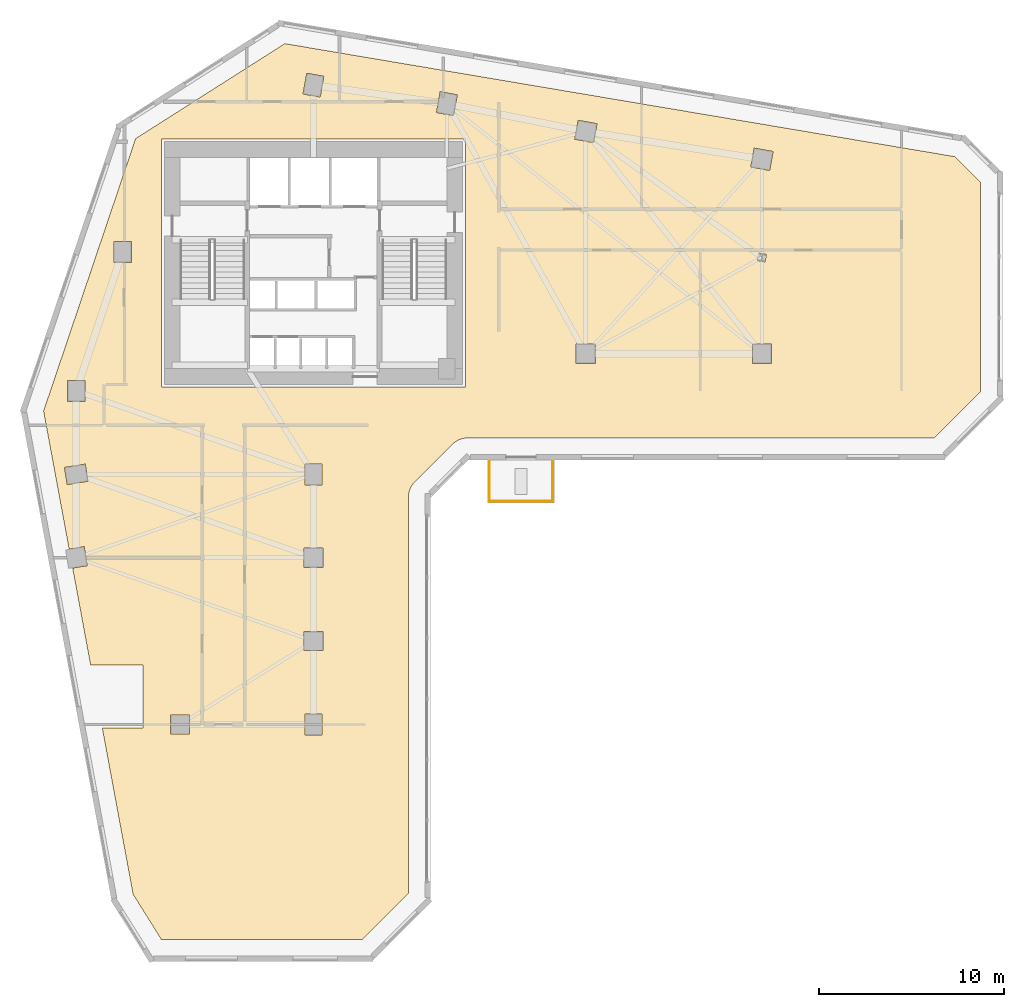
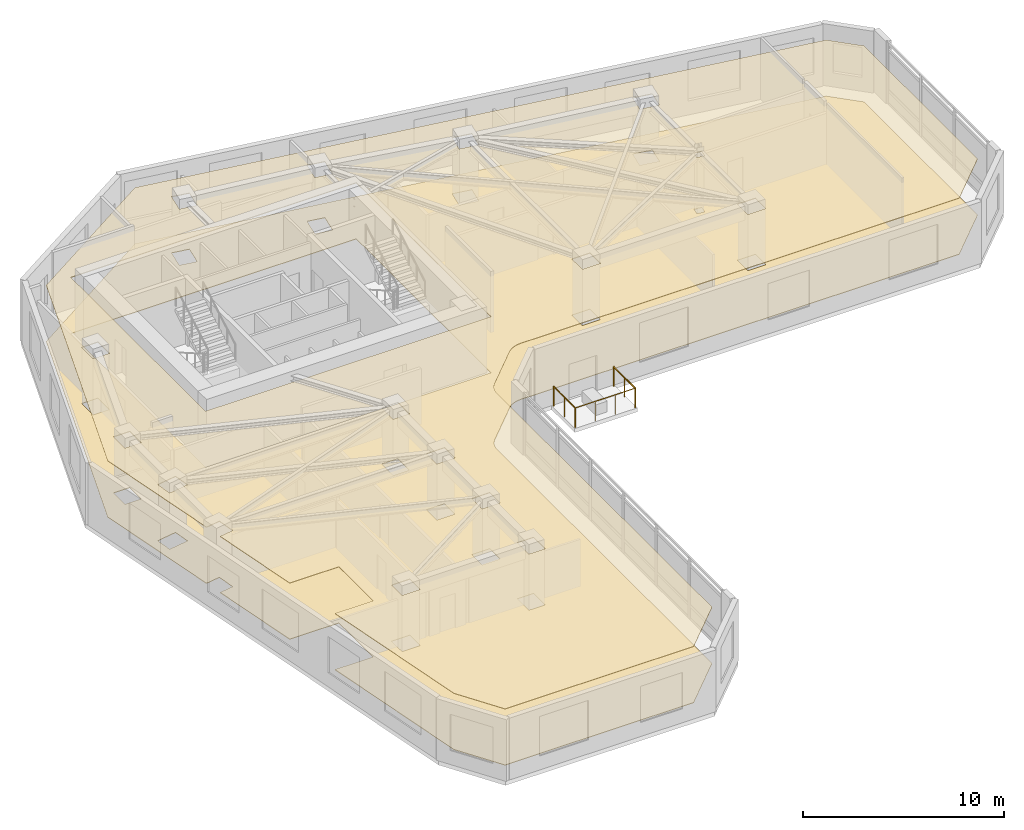
# One storey, part 10 of 11: 3 railings, 2 coverings.
"""IFC4 building model written with IfcOpenShell, lengths in metres."""

import ifcopenshell
import ifcopenshell.guid

model = None  # the IFC model being written
_history = None  # IfcOwnerHistory: only IFC2X3 demands one
_inside = {}  # id of a spatial element -> (the spatial element, [elements in it])
_under = {}  # id of a project, library or spatial element -> (it, [spatial elements below it])
_declared = {}  # id of a project -> (the project, [libraries it declares])
_typed = {}  # id of a type object -> (the type object, [elements of that type])
_made_of = {}  # id of a material, layer set ... -> (it, [elements and type objects made of it])


def new_model(schema):
    """Start an empty IFC model of exactly this schema.

    Asked for "IFC4X3", IfcOpenShell would pick the latest addendum, in which some entities
    have other attributes; the version numbers below select the first issue.
    IFC2X3 requires an IfcOwnerHistory on every rooted entity: one is made here for all.
    """
    global model, _history
    if schema == "IFC4X3":
        model = ifcopenshell.file(schema_version=(4, 3, 0, 0))
    else:
        model = ifcopenshell.file(schema=schema)
    _inside.clear()
    _under.clear()
    _declared.clear()
    _typed.clear()
    _made_of.clear()
    _history = None
    if model.schema == "IFC2X3":
        org = make("IfcOrganization", Name="unknown")
        user = make(
            "IfcPersonAndOrganization",
            ThePerson=make("IfcPerson", FamilyName="unknown"),
            TheOrganization=org,
        )
        app = make(
            "IfcApplication",
            ApplicationDeveloper=org,
            Version="unknown",
            ApplicationFullName="unknown",
            ApplicationIdentifier="unknown",
        )
        _history = make(
            "IfcOwnerHistory",
            OwningUser=user,
            OwningApplication=app,
            ChangeAction="ADDED",
            CreationDate=0,
        )
    return model


def make(cls, **values):
    """One entity of the class cls with the attributes given. An attribute that is None is left unset."""
    return model.create_entity(
        cls, **{name: value for name, value in values.items() if value is not None}
    )


def rooted(cls, **values):
    """An entity with a GlobalId (a new one), such as an element, a storey or a relation."""
    return make(cls, GlobalId=ifcopenshell.guid.new(), OwnerHistory=_history, **values)


def si_unit(unit_type, name, prefix=None):
    """IfcSIUnit, for example si_unit("LENGTHUNIT", "METRE", prefix="MILLI")."""
    return make("IfcSIUnit", UnitType=unit_type, Prefix=prefix, Name=name)


def assignment(units):
    """IfcUnitAssignment: the units of a project."""
    return None if units is None else make("IfcUnitAssignment", Units=units)


def point(xyz):
    """IfcCartesianPoint."""
    return None if xyz is None else make("IfcCartesianPoint", Coordinates=xyz)


def direction(xyz):
    """IfcDirection."""
    return None if xyz is None else make("IfcDirection", DirectionRatios=xyz)


def frame(location, z_axis=None, x_axis=None):
    """IfcAxis2Placement3D, a coordinate frame: its origin and axes. An axis left out is left unset."""
    return make(
        "IfcAxis2Placement3D",
        Location=point(location),
        Axis=direction(z_axis),
        RefDirection=direction(x_axis),
    )


def frame_2d(location, x_axis=None):
    """IfcAxis2Placement2D, a coordinate frame in the plane: its origin and x axis."""
    return make(
        "IfcAxis2Placement2D", Location=point(location), RefDirection=direction(x_axis)
    )


def origin():
    """The frame at (0, 0, 0) with its axes left unset."""
    return frame((0.0, 0.0, 0.0))


def origin_2d():
    """The frame at (0, 0) in the plane with its x axis left unset."""
    return frame_2d((0.0, 0.0))


def place(relative_to, where):
    """IfcLocalPlacement: puts the frame where relative to a parent placement (None: the world)."""
    return make(
        "IfcLocalPlacement", PlacementRelTo=relative_to, RelativePlacement=where
    )


def context(
    kind, dimensions, precision=None, world=None, true_north=None, identifier=None
):
    """IfcGeometricRepresentationContext, for example the 3D "Model" context."""
    return make(
        "IfcGeometricRepresentationContext",
        ContextIdentifier=identifier,
        ContextType=kind,
        CoordinateSpaceDimension=dimensions,
        Precision=precision,
        WorldCoordinateSystem=world,
        TrueNorth=true_north,
    )


def subcontext(parent, identifier, kind, view, scale=None):
    """IfcGeometricRepresentationSubContext, for example "Body" below "Model"."""
    return make(
        "IfcGeometricRepresentationSubContext",
        ContextIdentifier=identifier,
        ContextType=kind,
        ParentContext=parent,
        TargetScale=scale,
        TargetView=view,
    )


def project(units=None, contexts=None):
    """IfcProject with its units and contexts."""
    return rooted(
        "IfcProject",
        Name="project",
        RepresentationContexts=contexts,
        UnitsInContext=assignment(units),
    )


def spatial(cls, under=None, at=None, **own):
    """A site, building, storey or space (cls), placed at a placement, below another one or the project."""
    s = rooted(cls, ObjectPlacement=at, **own)
    if under is not None:
        _under.setdefault(under.id(), (under, []))[1].append(s)
    return s


def polyline(points):
    """IfcPolyline through the points."""
    return make("IfcPolyline", Points=[point(p) for p in points])


def profile(cls, at=None, kind="AREA", **sizes):
    """A parametric profile (cls). Its sizes go by their IFC names, for example OverallWidth=200.0."""
    return make(cls, ProfileType=kind, Position=at, **sizes)


def circle(**sizes):
    """IfcCircleProfileDef."""
    return profile("IfcCircleProfileDef", **sizes)


def outline(outer, holes=None, kind="AREA"):
    """IfcArbitraryClosedProfileDef: a profile drawn as a closed curve; with holes, ...WithVoids."""
    if holes is None:
        return make("IfcArbitraryClosedProfileDef", ProfileType=kind, OuterCurve=outer)
    return make(
        "IfcArbitraryProfileDefWithVoids",
        ProfileType=kind,
        OuterCurve=outer,
        InnerCurves=holes,
    )


def extrude(swept, where, along, depth):
    """IfcExtrudedAreaSolid: the profile swept, set in the frame where, extruded along a direction by depth."""
    return make(
        "IfcExtrudedAreaSolid",
        SweptArea=swept,
        Position=where,
        ExtrudedDirection=direction(along),
        Depth=depth,
    )


def shape(context_of_items, identifier, shape_type, items):
    """IfcShapeRepresentation: the items that make up one representation, for example the "Body"."""
    return make(
        "IfcShapeRepresentation",
        ContextOfItems=context_of_items,
        RepresentationIdentifier=identifier,
        RepresentationType=shape_type,
        Items=items,
    )


def material(Name=None, Category=None):
    """IfcMaterial."""
    return make("IfcMaterial", Name=Name, Category=Category)


def layer(
    of_material, thickness, ventilated=None, Name=None, Category=None, Priority=None
):
    """IfcMaterialLayer: one layer of a wall or slab, of a material (None: an air gap)."""
    return make(
        "IfcMaterialLayer",
        Material=of_material,
        LayerThickness=thickness,
        IsVentilated=ventilated,
        Name=Name,
        Category=Category,
        Priority=Priority,
    )


def layer_set(layers, Name=None):
    """IfcMaterialLayerSet."""
    return make("IfcMaterialLayerSet", MaterialLayers=layers, LayerSetName=Name)


def made_of(thing, what):
    """Note that an element or type object is made of a material, layer set ...; save() writes the relation."""
    if what is not None:
        _made_of.setdefault(what.id(), (what, []))[1].append(thing)
    return thing


def type_object(cls, material=None, **own):
    """A type object (cls), such as IfcWallType, which elements share."""
    return made_of(rooted(cls, **own), material)


def element(
    cls,
    number,
    at=None,
    inside=None,
    cuts=None,
    type_object=None,
    material=None,
    context=None,
    identifier="Body",
    shape_type=None,
    held_by="IfcProductDefinitionShape",
    body=None,
    shapes=None,
    **own,
):
    """One element of the class cls, such as IfcWall. Its Tag is "e" and its number.

    at: its placement. inside: the storey or other place that contains it. cuts: it is an
    opening in that element (IfcRelVoidsElement). A single representation is given by context,
    identifier, shape_type and body (its items); several are given by shapes. held_by: the class
    of the entity that holds the representations. save() writes the other relations.
    """
    e = rooted(cls, Tag="e%d" % number, ObjectPlacement=at, **own)
    if body is not None:
        shapes = [shape(context, identifier, shape_type, body)]
    if shapes is not None:
        e.Representation = make(held_by, Representations=shapes)
    if inside is not None:
        _inside.setdefault(inside.id(), (inside, []))[1].append(e)
    if cuts is not None:
        rooted(
            "IfcRelVoidsElement", RelatingBuildingElement=cuts, RelatedOpeningElement=e
        )
    if type_object is not None:
        _typed.setdefault(type_object.id(), (type_object, []))[1].append(e)
    return made_of(e, material)


def aggregate(whole, parts):
    """IfcRelAggregates: a whole, such as a stair, and the parts it consists of."""
    return rooted("IfcRelAggregates", RelatingObject=whole, RelatedObjects=parts)


def save(model, path):
    """Write the relations noted so far, then the file.

    IfcRelAggregates (storeys below a building ...), IfcRelContainedInSpatialStructure (elements
    in a storey), IfcRelDefinesByType, IfcRelAssociatesMaterial and IfcRelDeclares: one each for
    every whole, place, type object, material and project.
    """
    for whole, parts in _under.values():
        aggregate(whole, parts)
    for where, things in _inside.values():
        rooted(
            "IfcRelContainedInSpatialStructure",
            RelatedElements=things,
            RelatingStructure=where,
        )
    for kind, things in _typed.values():
        rooted("IfcRelDefinesByType", RelatedObjects=things, RelatingType=kind)
    for what, things in _made_of.values():
        rooted("IfcRelAssociatesMaterial", RelatedObjects=things, RelatingMaterial=what)
    for by, libraries in _declared.values():
        rooted("IfcRelDeclares", RelatingContext=by, RelatedDefinitions=libraries)
    model.write(path)


model = new_model("IFC4")

# Units and contexts
model_context = context("Model", 3, precision=1e-05, world=origin(), true_north=direction((0.0, 1.0)))
body_context = subcontext(model_context, "Body", "Model", "MODEL_VIEW")
ifc_project = project(units=[si_unit("LENGTHUNIT", "METRE"), si_unit("AREAUNIT", "SQUARE_METRE"), si_unit("VOLUMEUNIT", "CUBIC_METRE"), si_unit("PLANEANGLEUNIT", "RADIAN"), si_unit("MASSUNIT", "GRAM", prefix="KILO")], contexts=[model_context])

# Site, building, storey
site_placement = place(None, origin())
site = spatial("IfcSite", under=ifc_project, at=site_placement, CompositionType="ELEMENT")
building_placement = place(site_placement, origin())
building = spatial("IfcBuilding", under=site, at=building_placement, Name="Calvemar Wedge Station Tower", CompositionType="ELEMENT")
storey_placement = place(building_placement, frame((0.0, 0.0, 43.0)))
storey = spatial("IfcBuildingStorey", under=building, at=storey_placement, Name="L10", CompositionType="ELEMENT", Elevation=43.0)

# Coverings
ifc_material_1 = material(Name="Moisture-resistant gypsum ceiling")
ifc_layer_1 = layer(ifc_material_1, 0.0400390625)
ifc_layer_set_1 = layer_set([ifc_layer_1], Name="Moisture-resistant gypsum ceiling")
covering_type_1 = type_object("IfcCoveringType", Name="COV-CEIL-GYPSUM", PredefinedType="CEILING", material=ifc_layer_set_1)
covering_1_placement = place(storey_placement, frame((0.0, 0.0, 3.39990234375)))
element("IfcCovering", 1, at=covering_1_placement, inside=storey, type_object=covering_type_1, Name="Storey L10 Acoustic Suspended Ceiling", PredefinedType="CEILING", context=body_context, shape_type="SweptSolid", body=[
    extrude(outline(polyline([(29.279541015625, 28.1083984375), (31.279541015625, 30.1083984375), (31.36669921875, 30.1875), (31.461181640625, 30.2578125), (31.562255859375, 30.318359375), (31.668701171875, 30.36865234375), (31.77978515625, 30.408203125), (31.893798828125, 30.43701171875), (32.010498046875, 30.4541015625), (32.1279296875, 30.4599609375), (57.302978515625, 30.4599609375), (59.800048828125, 32.95703125), (59.800048828125, 44.262939453125), (58.422607421875, 45.640380859375), (22.255126953125, 51.739990234375), (14.201416015625, 46.614990234375), (9.23681640625, 31.911865234375), (10.6162109375, 24.465087890625), (11.43115234375, 24.595703125), (11.595703125, 23.56884765625), (10.805908203125, 23.4423828125), (11.777099609375, 18.199951171875), (14.60009765625, 18.199951171875), (14.60009765625, 14.800048828125), (12.406982421875, 14.800048828125), (14.06640625, 5.8427734375), (15.593017578125, 3.39990234375), (26.430908203125, 3.39990234375), (28.927978515625, 5.897216796875), (28.927978515625, 27.260009765625), (28.933837890625, 27.377685546875), (28.951171875, 27.494140625), (28.979736328125, 27.6083984375), (29.019287109375, 27.71923828125), (29.069580078125, 27.82568359375), (29.130126953125, 27.9267578125), (29.200439453125, 28.021240234375), (29.279541015625, 28.1083984375)]), holes=[polyline([(15.60009765625, 46.60009765625), (32.0, 46.60009765625), (32.0, 33.199951171875), (15.60009765625, 33.199951171875), (15.60009765625, 46.60009765625)]), polyline([(10.530029296875, 32.429931640625), (10.530029296875, 33.570068359375), (11.469970703125, 33.570068359375), (11.469970703125, 32.429931640625), (10.530029296875, 32.429931640625)]), polyline([(13.030029296875, 41.070068359375), (13.969970703125, 41.070068359375), (13.969970703125, 39.929931640625), (13.030029296875, 39.929931640625), (13.030029296875, 41.070068359375)]), polyline([(24.363525390625, 49.977783203125), (24.16162109375, 48.855712890625), (23.236572265625, 49.022216796875), (23.4384765625, 50.144287109375), (24.363525390625, 49.977783203125)]), polyline([(31.361572265625, 47.855712890625), (30.4365234375, 48.022216796875), (30.638427734375, 49.144287109375), (31.5634765625, 48.977783203125), (31.361572265625, 47.855712890625)]), polyline([(37.89599609375, 46.580322265625), (38.080322265625, 47.60400390625), (39.10400390625, 47.419677734375), (38.919677734375, 46.39599609375), (37.89599609375, 46.580322265625)]), polyline([(47.580322265625, 46.10400390625), (48.60400390625, 45.919677734375), (48.419677734375, 44.89599609375), (47.39599609375, 45.080322265625), (47.580322265625, 46.10400390625)]), polyline([(39.02001953125, 35.52001953125), (39.02001953125, 34.47998046875), (37.97998046875, 34.47998046875), (37.97998046875, 35.52001953125), (39.02001953125, 35.52001953125)]), polyline([(48.52001953125, 34.47998046875), (47.47998046875, 34.47998046875), (47.47998046875, 35.52001953125), (48.52001953125, 35.52001953125), (48.52001953125, 34.47998046875)]), polyline([(47.759765625, 40.033935546875), (47.832763671875, 40.439453125), (48.240234375, 40.3662109375), (48.167236328125, 39.960693359375), (47.759765625, 40.033935546875)]), polyline([(11.488525390625, 29.05419921875), (11.63720703125, 28.126220703125), (10.511474609375, 27.94580078125), (10.36279296875, 28.873779296875), (11.488525390625, 29.05419921875)]), polyline([(24.27001953125, 27.929931640625), (23.330078125, 27.929931640625), (23.330078125, 29.070068359375), (24.27001953125, 29.070068359375), (24.27001953125, 27.929931640625)]), polyline([(23.280029296875, 23.47998046875), (23.280029296875, 24.52001953125), (24.320068359375, 24.52001953125), (24.320068359375, 23.47998046875), (23.280029296875, 23.47998046875)]), polyline([(23.280029296875, 20.02001953125), (24.320068359375, 20.02001953125), (24.320068359375, 18.97998046875), (23.280029296875, 18.97998046875), (23.280029296875, 20.02001953125)]), polyline([(24.27001953125, 15.570068359375), (24.27001953125, 14.429931640625), (23.330078125, 14.429931640625), (23.330078125, 15.570068359375), (24.27001953125, 15.570068359375)]), polyline([(17.1201171875, 14.47998046875), (16.080078125, 14.47998046875), (16.080078125, 15.52001953125), (17.1201171875, 15.52001953125), (17.1201171875, 14.47998046875)])]), origin(), (0.0, 0.0, 1.0), 0.0400390625),
])
ifc_material_2 = material(Name="Commercial raised access floor")
ifc_layer_2 = layer(ifc_material_2, 0.030029296875)
ifc_layer_set_2 = layer_set([ifc_layer_2], Name="Commercial raised access floor")
covering_type_2 = type_object("IfcCoveringType", Name="COV-FLR-RAISED", PredefinedType="FLOORING", material=ifc_layer_set_2)
covering_2_placement = place(storey_placement, origin())
element("IfcCovering", 2, at=covering_2_placement, inside=storey, type_object=covering_type_2, Name="Storey L10 Architectural Floor Finish", PredefinedType="FLOORING", context=body_context, shape_type="SweptSolid", body=[
    extrude(outline(polyline([(29.279541015625, 28.1083984375), (31.279541015625, 30.1083984375), (31.36669921875, 30.1875), (31.461181640625, 30.2578125), (31.562255859375, 30.318359375), (31.668701171875, 30.36865234375), (31.77978515625, 30.408203125), (31.893798828125, 30.43701171875), (32.010498046875, 30.4541015625), (32.1279296875, 30.4599609375), (57.302978515625, 30.4599609375), (59.800048828125, 32.95703125), (59.800048828125, 44.262939453125), (58.422607421875, 45.640380859375), (22.255126953125, 51.739990234375), (14.201416015625, 46.614990234375), (9.23681640625, 31.911865234375), (10.6162109375, 24.465087890625), (11.43115234375, 24.595703125), (11.595703125, 23.56884765625), (10.805908203125, 23.4423828125), (11.777099609375, 18.199951171875), (14.60009765625, 18.199951171875), (14.60009765625, 14.800048828125), (12.406982421875, 14.800048828125), (14.06640625, 5.8427734375), (15.593017578125, 3.39990234375), (26.430908203125, 3.39990234375), (28.927978515625, 5.897216796875), (28.927978515625, 27.260009765625), (28.933837890625, 27.377685546875), (28.951171875, 27.494140625), (28.979736328125, 27.6083984375), (29.019287109375, 27.71923828125), (29.069580078125, 27.82568359375), (29.130126953125, 27.9267578125), (29.200439453125, 28.021240234375), (29.279541015625, 28.1083984375)]), holes=[polyline([(15.60009765625, 46.60009765625), (32.0, 46.60009765625), (32.0, 33.199951171875), (15.60009765625, 33.199951171875), (15.60009765625, 46.60009765625)]), polyline([(10.530029296875, 32.429931640625), (10.530029296875, 33.570068359375), (11.469970703125, 33.570068359375), (11.469970703125, 32.429931640625), (10.530029296875, 32.429931640625)]), polyline([(13.030029296875, 41.070068359375), (13.969970703125, 41.070068359375), (13.969970703125, 39.929931640625), (13.030029296875, 39.929931640625), (13.030029296875, 41.070068359375)]), polyline([(24.363525390625, 49.977783203125), (24.16162109375, 48.855712890625), (23.236572265625, 49.022216796875), (23.4384765625, 50.144287109375), (24.363525390625, 49.977783203125)]), polyline([(31.361572265625, 47.855712890625), (30.4365234375, 48.022216796875), (30.638427734375, 49.144287109375), (31.5634765625, 48.977783203125), (31.361572265625, 47.855712890625)]), polyline([(37.89599609375, 46.580322265625), (38.080322265625, 47.60400390625), (39.10400390625, 47.419677734375), (38.919677734375, 46.39599609375), (37.89599609375, 46.580322265625)]), polyline([(47.580322265625, 46.10400390625), (48.60400390625, 45.919677734375), (48.419677734375, 44.89599609375), (47.39599609375, 45.080322265625), (47.580322265625, 46.10400390625)]), polyline([(39.02001953125, 35.52001953125), (39.02001953125, 34.47998046875), (37.97998046875, 34.47998046875), (37.97998046875, 35.52001953125), (39.02001953125, 35.52001953125)]), polyline([(48.52001953125, 34.47998046875), (47.47998046875, 34.47998046875), (47.47998046875, 35.52001953125), (48.52001953125, 35.52001953125), (48.52001953125, 34.47998046875)]), polyline([(47.759765625, 40.033935546875), (47.832763671875, 40.439453125), (48.240234375, 40.3662109375), (48.167236328125, 39.960693359375), (47.759765625, 40.033935546875)]), polyline([(11.488525390625, 29.05419921875), (11.63720703125, 28.126220703125), (10.511474609375, 27.94580078125), (10.36279296875, 28.873779296875), (11.488525390625, 29.05419921875)]), polyline([(24.27001953125, 27.929931640625), (23.330078125, 27.929931640625), (23.330078125, 29.070068359375), (24.27001953125, 29.070068359375), (24.27001953125, 27.929931640625)]), polyline([(23.280029296875, 23.47998046875), (23.280029296875, 24.52001953125), (24.320068359375, 24.52001953125), (24.320068359375, 23.47998046875), (23.280029296875, 23.47998046875)]), polyline([(23.280029296875, 20.02001953125), (24.320068359375, 20.02001953125), (24.320068359375, 18.97998046875), (23.280029296875, 18.97998046875), (23.280029296875, 20.02001953125)]), polyline([(24.27001953125, 15.570068359375), (24.27001953125, 14.429931640625), (23.330078125, 14.429931640625), (23.330078125, 15.570068359375), (24.27001953125, 15.570068359375)]), polyline([(17.1201171875, 14.47998046875), (16.080078125, 14.47998046875), (16.080078125, 15.52001953125), (17.1201171875, 15.52001953125), (17.1201171875, 14.47998046875)])]), origin(), (0.0, 0.0, 1.0), 0.030029296875),
])

# Railings
ifc_material_3 = material(Name="Stainless steel AISI 316L", Category="steel")
railing_type = type_object("IfcRailingType", Name="GRD-TERR-1200", PredefinedType="GUARDRAIL", material=ifc_material_3)
railing_1_placement = place(storey_placement, frame((36.719970703125, 29.179931640625, 0.0)))
element("IfcRailing", 3, at=railing_1_placement, inside=storey, type_object=railing_type, Name="Storey L10 Spiral Terrace Guard 2", PredefinedType="GUARDRAIL", context=body_context, shape_type="SweptSolid", body=[
    extrude(circle(Radius=0.02392578125, at=origin_2d()), frame((0.0, 0.0, 1.17578125), z_axis=(0.0, -1.0, 0.0), x_axis=(1.0, 0.0, 0.0)), (0.0, 0.0, 1.0), 2.139892578125),
    extrude(circle(Radius=0.02099609375, at=origin_2d()), origin(), (0.0, 0.0, 1.0), 1.15185546875),
    extrude(circle(Radius=0.02099609375, at=origin_2d()), frame((0.0, -1.06982421875, 0.0)), (0.0, 0.0, 1.0), 1.15185546875),
    extrude(circle(Radius=0.02099609375, at=origin_2d()), frame((0.0, -2.139892578125, 0.0)), (0.0, 0.0, 1.0), 1.15185546875),
])
railing_2_placement = place(storey_placement, frame((36.719970703125, 27.0400390625, 0.0)))
element("IfcRailing", 4, at=railing_2_placement, inside=storey, type_object=railing_type, Name="Storey L10 Spiral Terrace Guard 3", PredefinedType="GUARDRAIL", context=body_context, shape_type="SweptSolid", body=[
    extrude(circle(Radius=0.02392578125, at=origin_2d()), frame((0.0, 0.0, 1.17578125), z_axis=(-1.0, 0.0, 0.0), x_axis=(0.0, -1.0, 0.0)), (0.0, 0.0, 1.0), 3.43994140625),
    extrude(circle(Radius=0.02099609375, at=origin_2d()), origin(), (0.0, 0.0, 1.0), 1.15185546875),
    extrude(circle(Radius=0.02099609375, at=origin_2d()), frame((-1.146728515625, 0.0, 0.0)), (0.0, 0.0, 1.0), 1.15185546875),
    extrude(circle(Radius=0.02099609375, at=origin_2d()), frame((-2.293212890625, 0.0, 0.0)), (0.0, 0.0, 1.0), 1.15185546875),
    extrude(circle(Radius=0.02099609375, at=origin_2d()), frame((-3.43994140625, 0.0, 0.0)), (0.0, 0.0, 1.0), 1.15185546875),
])
railing_3_placement = place(storey_placement, frame((33.280029296875, 27.0400390625, 0.0)))
element("IfcRailing", 5, at=railing_3_placement, inside=storey, type_object=railing_type, Name="Storey L10 Spiral Terrace Guard 4", PredefinedType="GUARDRAIL", context=body_context, shape_type="SweptSolid", body=[
    extrude(circle(Radius=0.02392578125, at=origin_2d()), frame((0.0, 0.0, 1.17578125), z_axis=(0.0, 1.0, 0.0), x_axis=(-1.0, 0.0, 0.0)), (0.0, 0.0, 1.0), 2.139892578125),
    extrude(circle(Radius=0.02099609375, at=origin_2d()), origin(), (0.0, 0.0, 1.0), 1.15185546875),
    extrude(circle(Radius=0.02099609375, at=origin_2d()), frame((0.0, 1.06982421875, 0.0)), (0.0, 0.0, 1.0), 1.15185546875),
    extrude(circle(Radius=0.02099609375, at=origin_2d()), frame((0.0, 2.139892578125, 0.0)), (0.0, 0.0, 1.0), 1.15185546875),
])

save(model, "model.ifc")
